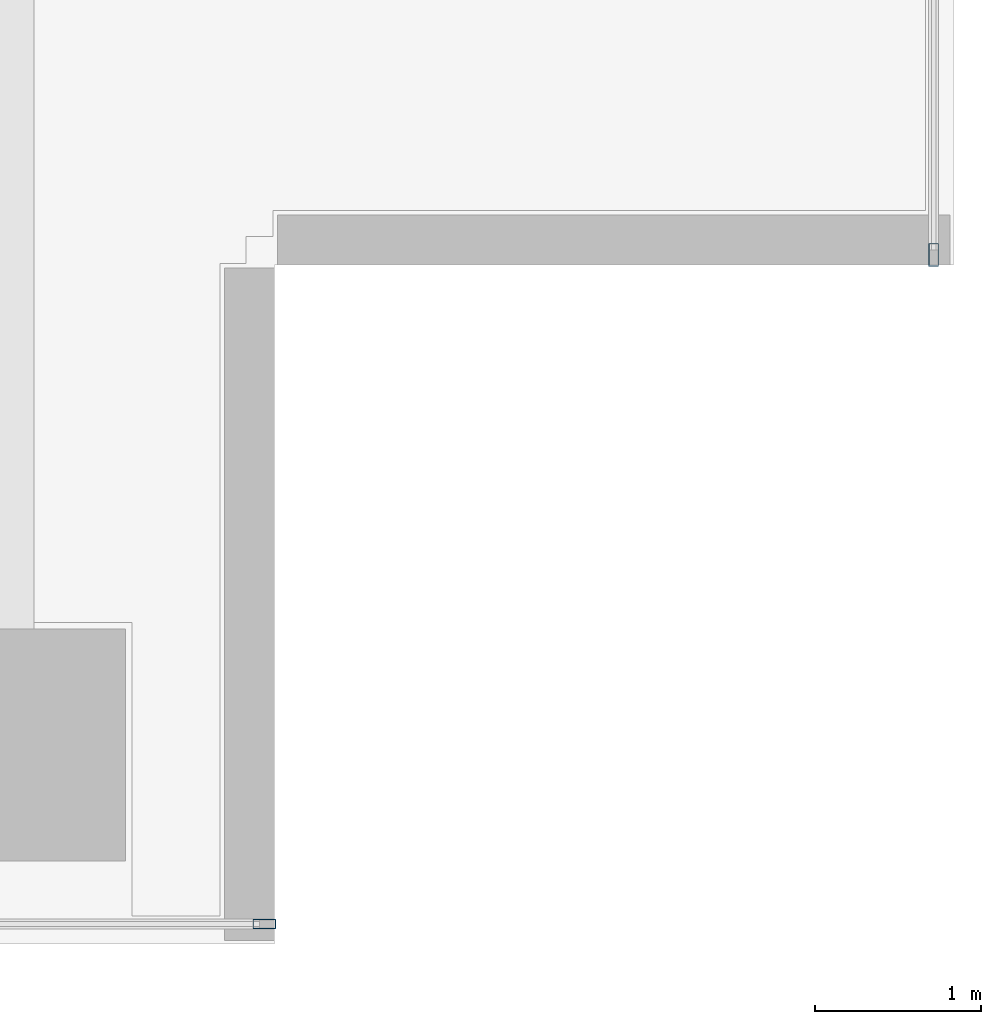
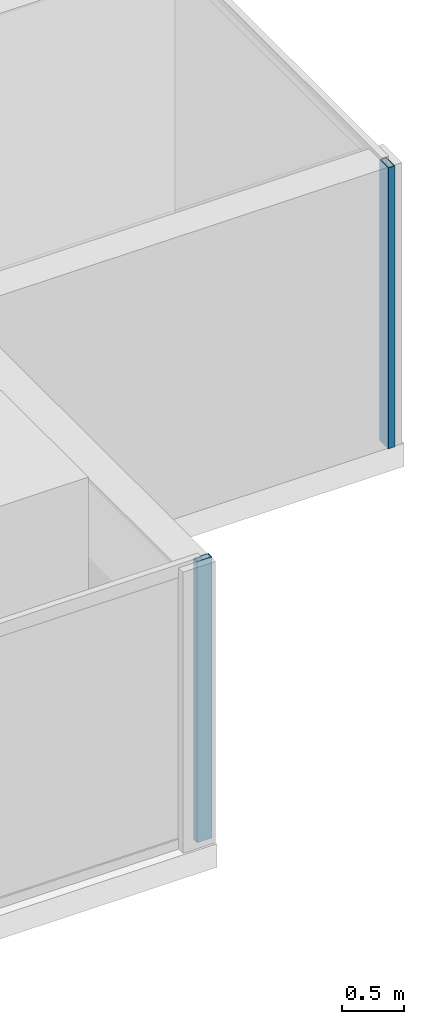
# One storey, part 11 of 25: 2 members, 2 elements without a shape of their own.
"""IFC4 building model written with IfcOpenShell, lengths in metres."""

from ifc_helpers import new_model, si_unit, direction, frame, origin, origin_2d, place, context, subcontext, project, spatial, hollow_rectangle, extrude, source, transform, mapped, material, layer, layer_set, material_profile, profile_set, type_object, element, aggregate, save


model = new_model("IFC4")

# Units and contexts
model_context = context("Model", 3, precision=1e-05, world=origin(), true_north=direction((0.0, 1.0)))
body_context = subcontext(model_context, "Body", "Model", "MODEL_VIEW")
ifc_project = project(units=[si_unit("LENGTHUNIT", "METRE"), si_unit("AREAUNIT", "SQUARE_METRE"), si_unit("VOLUMEUNIT", "CUBIC_METRE"), si_unit("PLANEANGLEUNIT", "RADIAN"), si_unit("MASSUNIT", "GRAM", prefix="KILO")], contexts=[model_context])

# Site, building, storey
site_placement = place(None, origin())
site = spatial("IfcSite", under=ifc_project, at=site_placement, CompositionType="ELEMENT")
building_placement = place(site_placement, origin())
building = spatial("IfcBuilding", under=site, at=building_placement, Name="Sumidabori Civic Tower", CompositionType="ELEMENT")
storey_placement = place(building_placement, frame((0.0, 0.0, 268.39990234375)))
storey = spatial("IfcBuildingStorey", under=building, at=storey_placement, Name="L70", CompositionType="ELEMENT", Elevation=268.39990234375)

# Curtain wall, member
ifc_material = material(Name="Anodised Bronze Aluminium AW-6063-T6", Category="aluminium")
ifc_layer = layer(ifc_material, 0.179931640625, Name="Anodised Bronze Aluminium AW-6063-T6")
ifc_layer_set = layer_set([ifc_layer], Name="Anodised Bronze Aluminium AW-6063-T6")
curtain_wall_type = type_object("IfcCurtainWallType", Name="CW-SYS-5", PredefinedType="NOTDEFINED", material=ifc_layer_set)
curtain_wall_1_placement = place(storey_placement, origin())
curtain_wall_1 = element("IfcCurtainWall", 1, at=curtain_wall_1_placement, inside=storey, type_object=curtain_wall_type, Name="Curtain Wall CW:L70:R01", PredefinedType="NOTDEFINED")
ifc_material_profile = material_profile(ifc_material, hollow_rectangle(XDim=0.06005859375, YDim=0.139892578125, WallThickness=0.0048828125, at=origin_2d()), Name="ALU MULLION 140x60")
ifc_profile_set = profile_set([ifc_material_profile], Name="Anodised Bronze Aluminium AW-6063-T6")
member_type = type_object("IfcMemberType", Name="CW-MUL-140", PredefinedType="MULLION", material=ifc_profile_set)
shared_shape = source(origin(), body_context, "Body", "SweptSolid", [
    extrude(hollow_rectangle(XDim=0.06005859375, YDim=0.139892578125, WallThickness=0.0048828125, at=origin_2d()), origin(), (0.0, 0.0, 1.0), 2.75),
])
member_1_placement = place(storey_placement, frame((18.340087890625, -11.8798828125, 0.0), z_axis=(0.0, 0.0, 1.0), x_axis=(0.0, 1.0, 0.0)))
member_1 = element("IfcMember", 2, at=member_1_placement, type_object=member_type, Name="CW-5 mullion 5", PredefinedType="MULLION", context=body_context, shape_type="MappedRepresentation", body=[
    mapped(shared_shape, transform((0.0, 0.0, 0.0), x_axis=(1.0, 0.0, 0.0), y_axis=(0.0, 1.0, 0.0), z_axis=(0.0, 0.0, 1.0), scale=1.0)),
])
aggregate(curtain_wall_1, [member_1])

curtain_wall_2_placement = place(storey_placement, origin())
curtain_wall_2 = element("IfcCurtainWall", 3, at=curtain_wall_2_placement, inside=storey, type_object=curtain_wall_type, Name="Curtain Wall CW:L70:R04", PredefinedType="NOTDEFINED")
member_2_placement = place(storey_placement, frame((22.3798828125, -7.840087890625, 0.0), z_axis=(0.0, 0.0, 1.0), x_axis=(-1.0, 0.0, 0.0)))
member_2 = element("IfcMember", 4, at=member_2_placement, type_object=member_type, Name="CW-5 mullion 1", PredefinedType="MULLION", context=body_context, shape_type="MappedRepresentation", body=[
    mapped(shared_shape, transform((0.0, 0.0, 0.0), x_axis=(1.0, 0.0, 0.0), y_axis=(0.0, 1.0, 0.0), z_axis=(0.0, 0.0, 1.0), scale=1.0)),
])
aggregate(curtain_wall_2, [member_2])

save(model, "model.ifc")
